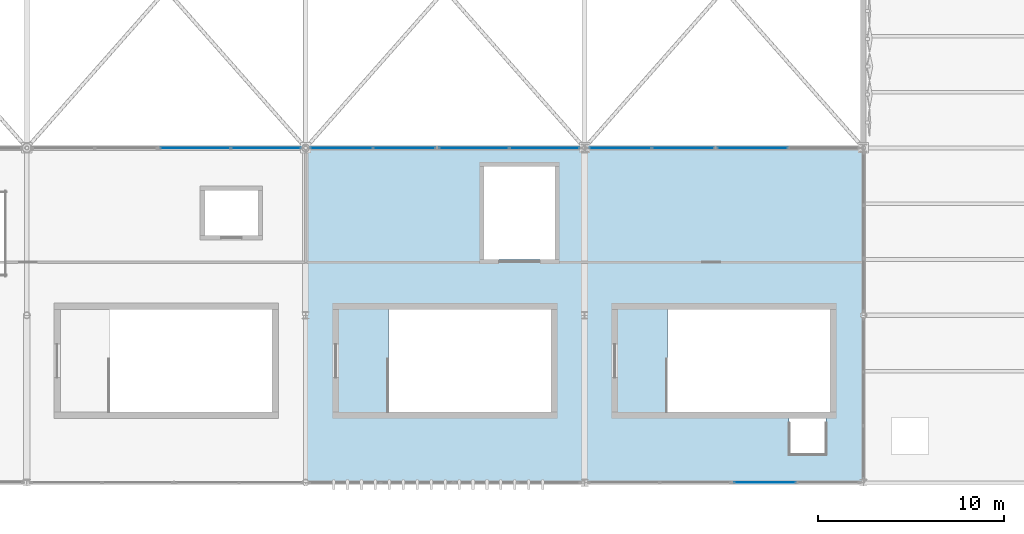
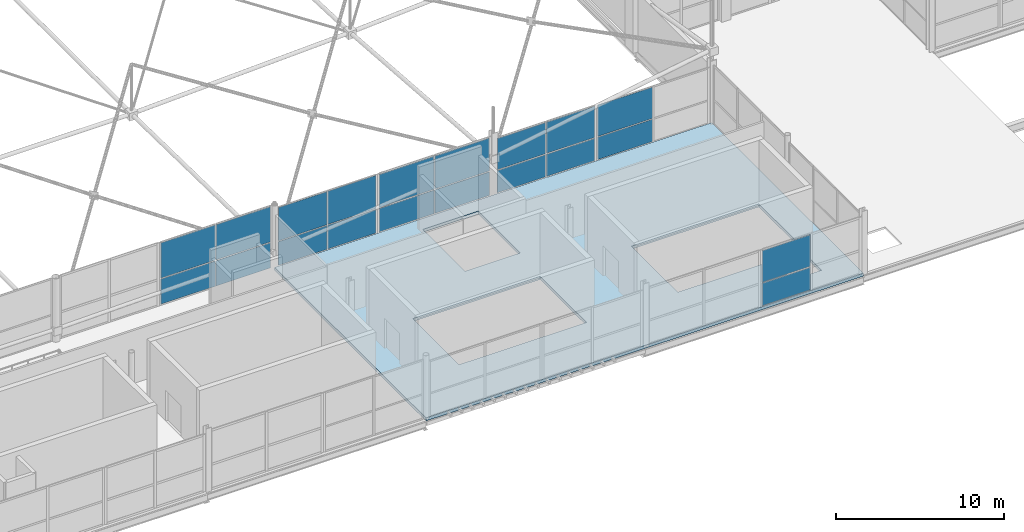
# One storey, part 163 of 224: 20 plates, 1 slab, 6 elements without a shape of their own.
"""IFC4 building model written with IfcOpenShell, lengths in metres."""

from ifc_helpers import new_model, si_unit, direction, frame, origin, origin_2d, place, context, subcontext, project, spatial, polyline, rectangle, outline, extrude, material, layer, layer_set, type_object, element, aggregate, save


model = new_model("IFC4")

# Units and contexts
model_context = context("Model", 3, precision=1e-05, world=origin(), true_north=direction((0.0, 1.0)))
body_context = subcontext(model_context, "Body", "Model", "MODEL_VIEW")
ifc_project = project(units=[si_unit("LENGTHUNIT", "METRE"), si_unit("AREAUNIT", "SQUARE_METRE"), si_unit("VOLUMEUNIT", "CUBIC_METRE"), si_unit("PLANEANGLEUNIT", "RADIAN"), si_unit("MASSUNIT", "GRAM", prefix="KILO")], contexts=[model_context])

# Site, building, storey
site_placement = place(None, origin())
site = spatial("IfcSite", under=ifc_project, at=site_placement, CompositionType="ELEMENT")
building_placement = place(site_placement, origin())
building = spatial("IfcBuilding", under=site, at=building_placement, Name="Qamarlyn Nura Convention Centre", CompositionType="ELEMENT")
storey_placement = place(building_placement, frame((0.0, 0.0, 10.800048828125)))
storey = spatial("IfcBuildingStorey", under=building, at=storey_placement, Name="L02", CompositionType="ELEMENT", Elevation=10.800048828125)

# Curtain wall, plates
ifc_material_1 = material(Name="Double-silver low-E insulated glass", Category="glass")
ifc_layer_1 = layer(ifc_material_1, 0.179931640625, Name="CW-UNIT-20")
ifc_layer_set_1 = layer_set([ifc_layer_1], Name="Double-silver low-E insulated glass")
curtain_wall_type_1 = type_object("IfcCurtainWallType", Name="CW-UNIT-20", PredefinedType="NOTDEFINED", material=ifc_layer_set_1)
curtain_wall_1_placement = place(storey_placement, origin())
curtain_wall_1 = element("IfcCurtainWall", 1, at=curtain_wall_1_placement, inside=storey, type_object=curtain_wall_type_1, Name="L02 unitised curtain wall V1-INT-S2-1B", PredefinedType="NOTDEFINED")
ifc_layer_2 = layer(ifc_material_1, 0.028076171875, Name="CWP-VIS-28")
ifc_layer_set_2 = layer_set([ifc_layer_2], Name="Double-silver low-E insulated glass")
plate_type_1 = type_object("IfcPlateType", Name="CWP-VIS-28", PredefinedType="CURTAIN_PANEL", material=ifc_layer_set_2)
plate_1_placement = place(storey_placement, frame((84.062255859375, 18.0, 0.06494140625), z_axis=(0.0, 0.0, 1.0), x_axis=(1.0, 0.0, 0.0)))
plate_1 = element("IfcPlate", 2, at=plate_1_placement, type_object=plate_type_1, Name="CW20 panel 1.1", PredefinedType="CURTAIN_PANEL", context=body_context, shape_type="SweptSolid", body=[
    extrude(rectangle(XDim=3.736328125, YDim=0.028076171875, at=origin_2d()), origin(), (0.0, 0.0, 1.0), 1.826416015625),
])
plate_2_placement = place(storey_placement, frame((84.062255859375, 18.0, 1.956298828125), z_axis=(0.0, 0.0, 1.0), x_axis=(1.0, 0.0, 0.0)))
plate_2 = element("IfcPlate", 3, at=plate_2_placement, type_object=plate_type_1, Name="CW20 panel 1.2", PredefinedType="CURTAIN_PANEL", context=body_context, shape_type="SweptSolid", body=[
    extrude(rectangle(XDim=3.736328125, YDim=0.028076171875, at=origin_2d()), origin(), (0.0, 0.0, 1.0), 2.55859375),
])
plate_3_placement = place(storey_placement, frame((87.863525390625, 18.0, 0.06494140625), z_axis=(0.0, 0.0, 1.0), x_axis=(1.0, 0.0, 0.0)))
plate_3 = element("IfcPlate", 4, at=plate_3_placement, type_object=plate_type_1, Name="CW20 panel 2.1", PredefinedType="CURTAIN_PANEL", context=body_context, shape_type="SweptSolid", body=[
    extrude(rectangle(XDim=3.736328125, YDim=0.028076171875, at=origin_2d()), origin(), (0.0, 0.0, 1.0), 1.826416015625),
])
plate_4_placement = place(storey_placement, frame((87.863525390625, 18.0, 1.956298828125), z_axis=(0.0, 0.0, 1.0), x_axis=(1.0, 0.0, 0.0)))
plate_4 = element("IfcPlate", 5, at=plate_4_placement, type_object=plate_type_1, Name="CW20 panel 2.2", PredefinedType="CURTAIN_PANEL", context=body_context, shape_type="SweptSolid", body=[
    extrude(rectangle(XDim=3.736328125, YDim=0.028076171875, at=origin_2d()), origin(), (0.0, 0.0, 1.0), 2.55859375),
])
aggregate(curtain_wall_1, [plate_1, plate_2, plate_3, plate_4])

ifc_layer_3 = layer(ifc_material_1, 0.179931640625, Name="CW-UNIT-21")
ifc_layer_set_3 = layer_set([ifc_layer_3], Name="Double-silver low-E insulated glass")
curtain_wall_type_2 = type_object("IfcCurtainWallType", Name="CW-UNIT-21", PredefinedType="NOTDEFINED", material=ifc_layer_set_3)
curtain_wall_2_placement = place(storey_placement, origin())
curtain_wall_2 = element("IfcCurtainWall", 6, at=curtain_wall_2_placement, inside=storey, type_object=curtain_wall_type_2, Name="L02 unitised curtain wall V1-INT-S3-1A", PredefinedType="NOTDEFINED")
plate_5_placement = place(storey_placement, frame((91.9228515625, 18.0, 0.06005859375), z_axis=(0.0, 0.0, 1.0), x_axis=(1.0, 0.0, 0.0)))
plate_5 = element("IfcPlate", 7, at=plate_5_placement, type_object=plate_type_1, Name="CW21 panel 1.1", PredefinedType="CURTAIN_PANEL", context=body_context, shape_type="SweptSolid", body=[
    extrude(rectangle(XDim=3.319091796875, YDim=0.028076171875, at=origin_2d()), origin(), (0.0, 0.0, 1.0), 1.719970703125),
])
plate_6_placement = place(storey_placement, frame((91.9228515625, 18.0, 1.83984375), z_axis=(0.0, 0.0, 1.0), x_axis=(1.0, 0.0, 0.0)))
plate_6 = element("IfcPlate", 8, at=plate_6_placement, type_object=plate_type_1, Name="CW21 panel 1.2", PredefinedType="CURTAIN_PANEL", context=body_context, shape_type="SweptSolid", body=[
    extrude(rectangle(XDim=3.319091796875, YDim=0.028076171875, at=origin_2d()), origin(), (0.0, 0.0, 1.0), 2.409912109375),
])
plate_7_placement = place(storey_placement, frame((95.302001953125, 18.0, 0.06005859375), z_axis=(0.0, 0.0, 1.0), x_axis=(1.0, 0.0, 0.0)))
plate_7 = element("IfcPlate", 9, at=plate_7_placement, type_object=plate_type_1, Name="CW21 panel 2.1", PredefinedType="CURTAIN_PANEL", context=body_context, shape_type="SweptSolid", body=[
    extrude(rectangle(XDim=3.319091796875, YDim=0.028076171875, at=origin_2d()), origin(), (0.0, 0.0, 1.0), 1.719970703125),
])
plate_8_placement = place(storey_placement, frame((95.302001953125, 18.0, 1.83984375), z_axis=(0.0, 0.0, 1.0), x_axis=(1.0, 0.0, 0.0)))
plate_8 = element("IfcPlate", 10, at=plate_8_placement, type_object=plate_type_1, Name="CW21 panel 2.2", PredefinedType="CURTAIN_PANEL", context=body_context, shape_type="SweptSolid", body=[
    extrude(rectangle(XDim=3.319091796875, YDim=0.028076171875, at=origin_2d()), origin(), (0.0, 0.0, 1.0), 2.409912109375),
])
aggregate(curtain_wall_2, [plate_5, plate_6, plate_7, plate_8])

ifc_layer_4 = layer(ifc_material_1, 0.179931640625, Name="CW-UNIT-23")
ifc_layer_set_4 = layer_set([ifc_layer_4], Name="Double-silver low-E insulated glass")
curtain_wall_type_3 = type_object("IfcCurtainWallType", Name="CW-UNIT-23", PredefinedType="NOTDEFINED", material=ifc_layer_set_4)
curtain_wall_3_placement = place(storey_placement, origin())
curtain_wall_3 = element("IfcCurtainWall", 11, at=curtain_wall_3_placement, inside=storey, type_object=curtain_wall_type_3, Name="L02 unitised curtain wall V1-INT-S4-1A", PredefinedType="NOTDEFINED")
plate_9_placement = place(storey_placement, frame((106.92529296875, 18.0, 0.06494140625), z_axis=(0.0, 0.0, 1.0), x_axis=(1.0, 0.0, 0.0)))
plate_9 = element("IfcPlate", 12, at=plate_9_placement, type_object=plate_type_1, Name="CW23 panel 1.1", PredefinedType="CURTAIN_PANEL", context=body_context, shape_type="SweptSolid", body=[
    extrude(rectangle(XDim=3.311279296875, YDim=0.028076171875, at=origin_2d()), origin(), (0.0, 0.0, 1.0), 1.612548828125),
])
plate_10_placement = place(storey_placement, frame((106.92529296875, 18.0, 1.74267578125), z_axis=(0.0, 0.0, 1.0), x_axis=(1.0, 0.0, 0.0)))
plate_10 = element("IfcPlate", 13, at=plate_10_placement, type_object=plate_type_1, Name="CW23 panel 1.2", PredefinedType="CURTAIN_PANEL", context=body_context, shape_type="SweptSolid", body=[
    extrude(rectangle(XDim=3.311279296875, YDim=0.028076171875, at=origin_2d()), origin(), (0.0, 0.0, 1.0), 2.263427734375),
])
plate_11_placement = place(storey_placement, frame((110.301513671875, 18.0, 0.06494140625), z_axis=(0.0, 0.0, 1.0), x_axis=(1.0, 0.0, 0.0)))
plate_11 = element("IfcPlate", 14, at=plate_11_placement, type_object=plate_type_1, Name="CW23 panel 2.1", PredefinedType="CURTAIN_PANEL", context=body_context, shape_type="SweptSolid", body=[
    extrude(rectangle(XDim=3.311279296875, YDim=0.028076171875, at=origin_2d()), origin(), (0.0, 0.0, 1.0), 1.612548828125),
])
plate_12_placement = place(storey_placement, frame((110.301513671875, 18.0, 1.74267578125), z_axis=(0.0, 0.0, 1.0), x_axis=(1.0, 0.0, 0.0)))
plate_12 = element("IfcPlate", 15, at=plate_12_placement, type_object=plate_type_1, Name="CW23 panel 2.2", PredefinedType="CURTAIN_PANEL", context=body_context, shape_type="SweptSolid", body=[
    extrude(rectangle(XDim=3.311279296875, YDim=0.028076171875, at=origin_2d()), origin(), (0.0, 0.0, 1.0), 2.263427734375),
])
aggregate(curtain_wall_3, [plate_9, plate_10, plate_11, plate_12])

ifc_layer_5 = layer(ifc_material_1, 0.179931640625, Name="CW-UNIT-24")
ifc_layer_set_5 = layer_set([ifc_layer_5], Name="Double-silver low-E insulated glass")
curtain_wall_type_4 = type_object("IfcCurtainWallType", Name="CW-UNIT-24", PredefinedType="NOTDEFINED", material=ifc_layer_set_5)
curtain_wall_4_placement = place(storey_placement, origin())
curtain_wall_4 = element("IfcCurtainWall", 16, at=curtain_wall_4_placement, inside=storey, type_object=curtain_wall_type_4, Name="L02 unitised curtain wall V1-INT-S4-1B", PredefinedType="NOTDEFINED")
plate_13_placement = place(storey_placement, frame((114.04052734375, 18.0, 0.059814453125), z_axis=(0.0, 0.0, 1.0), x_axis=(1.0, 0.0, 0.0)))
plate_13 = element("IfcPlate", 17, at=plate_13_placement, type_object=plate_type_1, Name="CW24 panel 1.1", PredefinedType="CURTAIN_PANEL", context=body_context, shape_type="SweptSolid", body=[
    extrude(rectangle(XDim=3.756591796875, YDim=0.028076171875, at=origin_2d()), origin(), (0.0, 0.0, 1.0), 1.6201171875),
])
plate_14_placement = place(storey_placement, frame((114.04052734375, 18.0, 1.739990234375), z_axis=(0.0, 0.0, 1.0), x_axis=(1.0, 0.0, 0.0)))
plate_14 = element("IfcPlate", 18, at=plate_14_placement, type_object=plate_type_1, Name="CW24 panel 1.2", PredefinedType="CURTAIN_PANEL", context=body_context, shape_type="SweptSolid", body=[
    extrude(rectangle(XDim=3.756591796875, YDim=0.028076171875, at=origin_2d()), origin(), (0.0, 0.0, 1.0), 2.27099609375),
])
aggregate(curtain_wall_4, [plate_13, plate_14])

ifc_layer_6 = layer(ifc_material_1, 0.179931640625, Name="CW-UNIT-25")
ifc_layer_set_6 = layer_set([ifc_layer_6], Name="Double-silver low-E insulated glass")
curtain_wall_type_5 = type_object("IfcCurtainWallType", Name="CW-UNIT-25", PredefinedType="NOTDEFINED", material=ifc_layer_set_6)
curtain_wall_5_placement = place(storey_placement, origin())
curtain_wall_5 = element("IfcCurtainWall", 19, at=curtain_wall_5_placement, inside=storey, type_object=curtain_wall_type_5, Name="L02 unitised curtain wall SF-S4-1A", PredefinedType="NOTDEFINED")
plate_15_placement = place(storey_placement, frame((114.70654296875, 0.0, 0.06982421875), z_axis=(0.0, 0.0, 1.0), x_axis=(-1.0, 0.0, 0.0)))
plate_15 = element("IfcPlate", 20, at=plate_15_placement, type_object=plate_type_1, Name="CW25 panel 2.1", PredefinedType="CURTAIN_PANEL", context=body_context, shape_type="SweptSolid", body=[
    extrude(rectangle(XDim=3.312744140625, YDim=0.028076171875, at=origin_2d()), origin(), (0.0, 0.0, 1.0), 1.635009765625),
])
plate_16_placement = place(storey_placement, frame((114.70654296875, 0.0, 1.77490234375), z_axis=(0.0, 0.0, 1.0), x_axis=(-1.0, 0.0, 0.0)))
plate_16 = element("IfcPlate", 21, at=plate_16_placement, type_object=plate_type_1, Name="CW25 panel 2.2", PredefinedType="CURTAIN_PANEL", context=body_context, shape_type="SweptSolid", body=[
    extrude(rectangle(XDim=3.312744140625, YDim=0.028076171875, at=origin_2d()), origin(), (0.0, 0.0, 1.0), 2.299072265625),
])
aggregate(curtain_wall_5, [plate_15, plate_16])

ifc_layer_7 = layer(ifc_material_1, 0.179931640625, Name="CW-UNIT-22")
ifc_layer_set_7 = layer_set([ifc_layer_7], Name="Double-silver low-E insulated glass")
curtain_wall_type_6 = type_object("IfcCurtainWallType", Name="CW-UNIT-22", PredefinedType="NOTDEFINED", material=ifc_layer_set_7)
curtain_wall_6_placement = place(storey_placement, origin())
curtain_wall_6 = element("IfcCurtainWall", 22, at=curtain_wall_6_placement, inside=storey, type_object=curtain_wall_type_6, Name="L02 unitised curtain wall V1-INT-S3-1B", PredefinedType="NOTDEFINED")
ifc_layer_8 = layer(ifc_material_1, 0.031982421875, Name="CWP-VIS-32")
ifc_layer_set_8 = layer_set([ifc_layer_8], Name="Double-silver low-E insulated glass")
plate_type_2 = type_object("IfcPlateType", Name="CWP-VIS-32", PredefinedType="CURTAIN_PANEL", material=ifc_layer_set_8)
plate_17_placement = place(storey_placement, frame((99.04248046875, 18.0, 0.06982421875), z_axis=(0.0, 0.0, 1.0), x_axis=(1.0, 0.0, 0.0)))
plate_17 = element("IfcPlate", 23, at=plate_17_placement, type_object=plate_type_2, Name="CW22 panel 1.1", PredefinedType="CURTAIN_PANEL", context=body_context, shape_type="SweptSolid", body=[
    extrude(rectangle(XDim=3.741943359375, YDim=0.031982421875, at=origin_2d()), origin(), (0.0, 0.0, 1.0), 1.705078125),
])
plate_18_placement = place(storey_placement, frame((99.04248046875, 18.0, 1.844970703125), z_axis=(0.0, 0.0, 1.0), x_axis=(1.0, 0.0, 0.0)))
plate_18 = element("IfcPlate", 24, at=plate_18_placement, type_object=plate_type_2, Name="CW22 panel 1.2", PredefinedType="CURTAIN_PANEL", context=body_context, shape_type="SweptSolid", body=[
    extrude(rectangle(XDim=3.741943359375, YDim=0.031982421875, at=origin_2d()), origin(), (0.0, 0.0, 1.0), 2.39501953125),
])
plate_19_placement = place(storey_placement, frame((102.8544921875, 18.0, 0.06982421875), z_axis=(0.0, 0.0, 1.0), x_axis=(1.0, 0.0, 0.0)))
plate_19 = element("IfcPlate", 25, at=plate_19_placement, type_object=plate_type_2, Name="CW22 panel 2.1", PredefinedType="CURTAIN_PANEL", context=body_context, shape_type="SweptSolid", body=[
    extrude(rectangle(XDim=3.741943359375, YDim=0.031982421875, at=origin_2d()), origin(), (0.0, 0.0, 1.0), 1.705078125),
])
plate_20_placement = place(storey_placement, frame((102.8544921875, 18.0, 1.844970703125), z_axis=(0.0, 0.0, 1.0), x_axis=(1.0, 0.0, 0.0)))
plate_20 = element("IfcPlate", 26, at=plate_20_placement, type_object=plate_type_2, Name="CW22 panel 2.2", PredefinedType="CURTAIN_PANEL", context=body_context, shape_type="SweptSolid", body=[
    extrude(rectangle(XDim=3.741943359375, YDim=0.031982421875, at=origin_2d()), origin(), (0.0, 0.0, 1.0), 2.39501953125),
])
aggregate(curtain_wall_6, [plate_17, plate_18, plate_19, plate_20])

# Slab
ifc_material_2 = material(Name="Concrete C40/50", Category="concrete")
ifc_layer_9 = layer(ifc_material_2, 0.219970703125, Name="SL-L02")
ifc_layer_set_9 = layer_set([ifc_layer_9], Name="Concrete C40/50")
slab_type = type_object("IfcSlabType", Name="SL-L02", PredefinedType="FLOOR", material=ifc_layer_set_9)
slab_placement = place(storey_placement, frame((0.0, 0.0, -0.219970703125)))
element("IfcSlab", 27, at=slab_placement, inside=storey, type_object=slab_type, Name="L02 floor slab L02-SF2", PredefinedType="FLOOR", context=body_context, shape_type="SweptSolid", body=[
    extrude(outline(polyline([(90.0, 18.0), (120.0, 18.0), (120.0, 0.0), (90.0, 0.0), (90.0, 18.0)]), holes=[polyline([(116.0, 3.5), (116.0, 1.5), (118.0, 1.5), (118.0, 3.5), (116.0, 3.5)]), polyline([(94.4599609375, 3.800048828125), (103.199951171875, 3.800048828125), (103.199951171875, 9.300048828125), (94.4599609375, 9.300048828125), (94.4599609375, 3.800048828125)]), polyline([(109.4599609375, 3.800048828125), (118.199951171875, 3.800048828125), (118.199951171875, 9.300048828125), (109.4599609375, 9.300048828125), (109.4599609375, 3.800048828125)]), polyline([(103.39990234375, 12.0), (103.39990234375, 17.0), (99.60009765625, 17.0), (99.60009765625, 12.0), (103.39990234375, 12.0)])]), origin(), (0.0, 0.0, 1.0), 0.219970703125),
])

save(model, "model.ifc")
